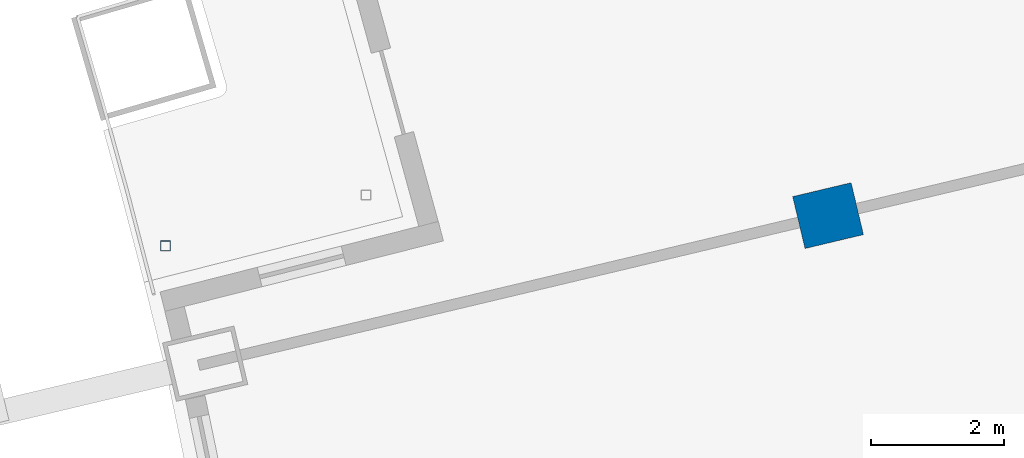
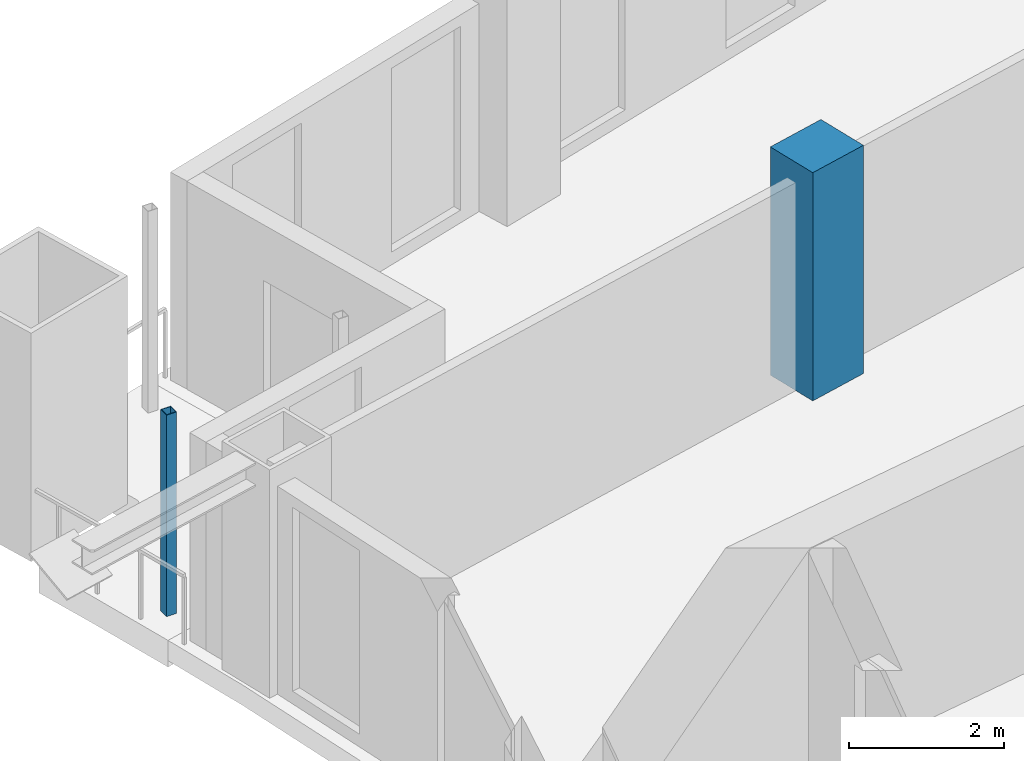
# One storey, part 5 of 21: 2 columns.
"""IFC4 building model written with IfcOpenShell, lengths in metres."""

from ifc_helpers import new_model, si_unit, direction, frame, origin, origin_2d, place, context, subcontext, project, spatial, rectangle, hollow_rectangle, extrude, material, material_profile, profile_set, type_object, element, save


model = new_model("IFC4")

# Units and contexts
model_context = context("Model", 3, precision=1e-05, world=origin(), true_north=direction((0.0, 1.0)))
body_context = subcontext(model_context, "Body", "Model", "MODEL_VIEW")
ifc_project = project(units=[si_unit("LENGTHUNIT", "METRE"), si_unit("AREAUNIT", "SQUARE_METRE"), si_unit("VOLUMEUNIT", "CUBIC_METRE"), si_unit("PLANEANGLEUNIT", "RADIAN"), si_unit("MASSUNIT", "GRAM", prefix="KILO")], contexts=[model_context])

# Site, building, storey
site_placement = place(None, origin())
site = spatial("IfcSite", under=ifc_project, at=site_placement, CompositionType="ELEMENT")
building_placement = place(site_placement, origin())
building = spatial("IfcBuilding", under=site, at=building_placement, Name="Alderwake Tower", CompositionType="ELEMENT")
storey_placement = place(building_placement, frame((0.0, 0.0, 146.0)))
storey = spatial("IfcBuildingStorey", under=building, at=storey_placement, Name="L35", CompositionType="ELEMENT", Elevation=146.0)

# Columns
ifc_material_1 = material(Name="Concrete C70/85", Category="concrete")
ifc_material_profile_1 = material_profile(ifc_material_1, rectangle(XDim=0.800048828125, YDim=0.89990234375, at=origin_2d()), Name="RC 900X800")
ifc_profile_set_1 = profile_set([ifc_material_profile_1], Name="Concrete C70/85")
column_type_1 = type_object("IfcColumnType", Name="Interior column Z3", PredefinedType="COLUMN", material=ifc_profile_set_1)
column_1_placement = place(storey_placement, frame((23.322021484375, 85.555908203125, 0.0), z_axis=(0.0, 0.0, 1.0), x_axis=(-0.231221547198, 0.972901123502, 0.0)))
element("IfcColumn", 1, at=column_1_placement, inside=storey, type_object=column_type_1, Name="Column R11-C1", PredefinedType="COLUMN", context=body_context, shape_type="SweptSolid", body=[
    extrude(rectangle(XDim=0.800048828125, YDim=0.89990234375, at=origin_2d()), origin(), (0.0, 0.0, 1.0), 3.60009765625),
])
ifc_material_2 = material(Name="Steel ASTM A500 Grade C", Category="steel")
ifc_material_profile_2 = material_profile(ifc_material_2, hollow_rectangle(XDim=0.15234375, YDim=0.15234375, WallThickness=0.0087890625, at=origin_2d()), Name="HSS6X6X3/8")
ifc_profile_set_2 = profile_set([ifc_material_profile_2], Name="Steel ASTM A500 Grade C")
column_type_2 = type_object("IfcColumnType", Name="Light post HSS6X6X3/8", PredefinedType="COLUMN", material=ifc_profile_set_2)
column_2_placement = place(storey_placement, frame((13.3896484375, 85.103515625, 0.0), z_axis=(0.0, 0.0, 1.0), x_axis=(1.0, 0.0, 0.0)))
element("IfcColumn", 2, at=column_2_placement, inside=storey, type_object=column_type_2, Name="Terrace post RN1", PredefinedType="COLUMN", context=body_context, shape_type="SweptSolid", body=[
    extrude(hollow_rectangle(XDim=0.15234375, YDim=0.15234375, WallThickness=0.0087890625, at=origin_2d()), origin(), (0.0, 0.0, 1.0), 3.179931640625),
])

save(model, "model.ifc")
